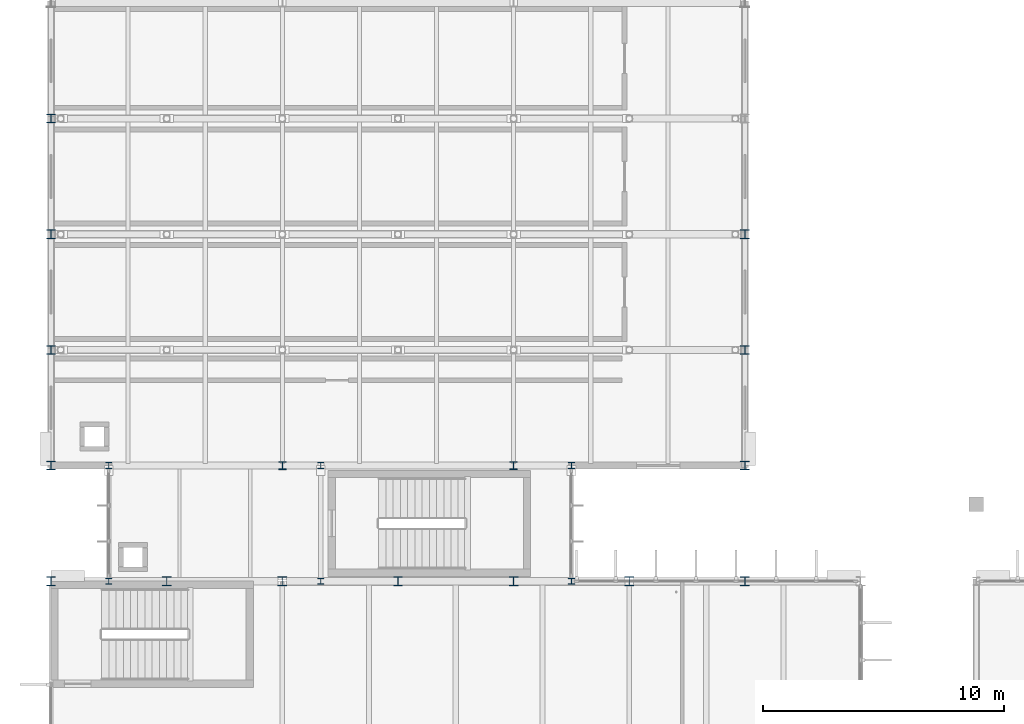
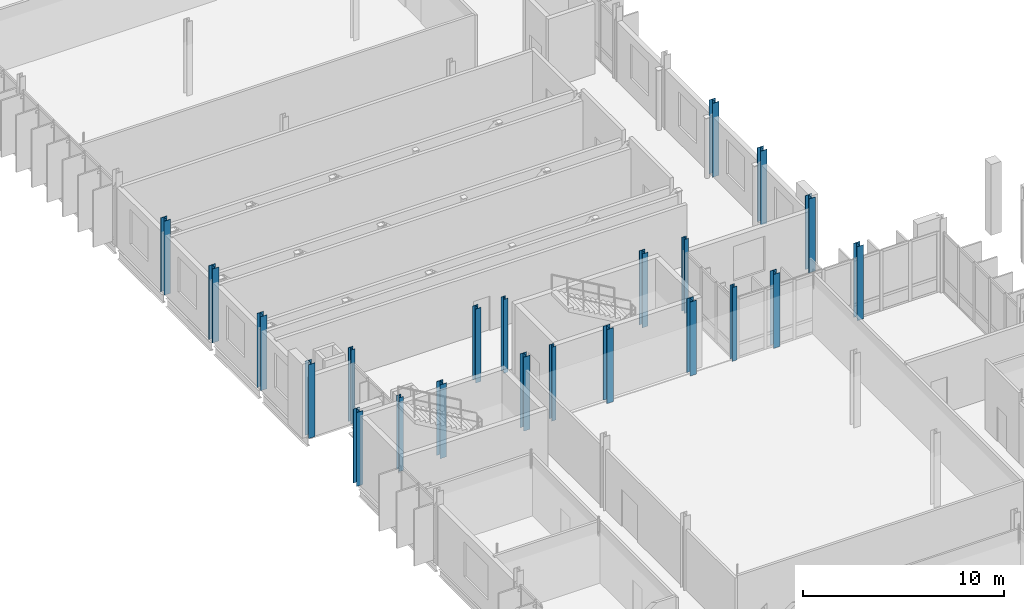
# One storey, part 3 of 110: 22 columns.
"""IFC4 building model written with IfcOpenShell, lengths in metres."""

from ifc_helpers import new_model, si_unit, direction, frame, origin, origin_2d, place, context, subcontext, project, spatial, i_section, extrude, material, material_profile, profile_set, type_object, element, save


model = new_model("IFC4")

# Units and contexts
model_context = context("Model", 3, precision=1e-05, world=origin(), true_north=direction((0.0, 1.0)))
body_context = subcontext(model_context, "Body", "Model", "MODEL_VIEW")
ifc_project = project(units=[si_unit("LENGTHUNIT", "METRE"), si_unit("AREAUNIT", "SQUARE_METRE"), si_unit("VOLUMEUNIT", "CUBIC_METRE"), si_unit("PLANEANGLEUNIT", "RADIAN"), si_unit("MASSUNIT", "GRAM", prefix="KILO")], contexts=[model_context])

# Site, building, storey
site_placement = place(None, origin())
site = spatial("IfcSite", under=ifc_project, at=site_placement, CompositionType="ELEMENT")
building_placement = place(site_placement, origin())
building = spatial("IfcBuilding", under=site, at=building_placement, Name="Dunescarp Central Library", CompositionType="ELEMENT")
storey_placement = place(building_placement, frame((0.0, 0.0, 9.60009765625)))
storey = spatial("IfcBuildingStorey", under=building, at=storey_placement, Name="L02", CompositionType="ELEMENT", Elevation=9.60009765625)

# Columns
ifc_material = material(Name="Steel S355JR", Category="steel")
ifc_material_profile_1 = material_profile(ifc_material, i_section(OverallWidth=0.25634765625, OverallDepth=0.26025390625, WebThickness=0.01025390625, FlangeThickness=0.017333984375, at=origin_2d()), Name="UC 254x254x89")
ifc_profile_set_1 = profile_set([ifc_material_profile_1], Name="Steel S355JR")
column_type_1 = type_object("IfcColumnType", Name="STR-COL-UC254X89", PredefinedType="COLUMN", material=ifc_profile_set_1)
for number, where, z_axis, x_axis, name in (
    (1, (2.39990234375, 36.800048828125, 0.0), (0.0, 0.0, 1.0), (1.0, 0.0, 0.0), "L02 column GL4-24-368"),
    (2, (2.39990234375, 41.60009765625, 0.0), (0.0, 0.0, 1.0), (1.0, 0.0, 0.0), "L02 column GL4-24-416"),
    (3, (11.199951171875, 36.800048828125, 0.0), (0.0, 0.0, 1.0), (1.0, 0.0, 0.0), "L02 column GL4-112-368"),
    (4, (11.199951171875, 41.60009765625, 0.0), (0.0, 0.0, 1.0), (1.0, 0.0, 0.0), "L02 column GL4-112-416"),
    (5, (21.60009765625, 36.800048828125, 0.0), (0.0, 0.0, 1.0), (1.0, 0.0, 0.0), "L02 column GL4-216-368"),
    (6, (21.60009765625, 41.60009765625, 0.0), (0.0, 0.0, 1.0), (1.0, 0.0, 0.0), "L02 column GL4-216-416"),
):
    element("IfcColumn", number, at=place(storey_placement, frame(where, z_axis=z_axis, x_axis=x_axis)), inside=storey, type_object=column_type_1, Name=name, PredefinedType="COLUMN", context=body_context, shape_type="SweptSolid", body=[
        extrude(i_section(OverallWidth=0.25634765625, OverallDepth=0.26025390625, WebThickness=0.01025390625, FlangeThickness=0.017333984375, at=origin_2d()), origin(), (0.0, 0.0, 1.0), 4.5),
    ])
ifc_material_profile_2 = material_profile(ifc_material, i_section(OverallWidth=0.311279296875, OverallDepth=0.3271484375, WebThickness=0.015869140625, FlangeThickness=0.02490234375, at=origin_2d()), Name="UC 305x305x158")
ifc_profile_set_2 = profile_set([ifc_material_profile_2], Name="Steel S355JR")
column_type_2 = type_object("IfcColumnType", Name="STR-COL-UC305X158", PredefinedType="COLUMN", material=ifc_profile_set_2)
for number, where, z_axis, x_axis, name in (
    (7, (9.60009765625, 41.60009765625, 0.0), (0.0, 0.0, 1.0), (1.0, 0.0, 0.0), "L02 column V4B-96-416"),
    (8, (19.199951171875, 41.60009765625, 0.0), (0.0, 0.0, 1.0), (1.0, 0.0, 0.0), "L02 column V4B-192-416"),
):
    element("IfcColumn", number, at=place(storey_placement, frame(where, z_axis=z_axis, x_axis=x_axis)), inside=storey, type_object=column_type_2, Name=name, PredefinedType="COLUMN", context=body_context, shape_type="SweptSolid", body=[
        extrude(i_section(OverallWidth=0.311279296875, OverallDepth=0.3271484375, WebThickness=0.015869140625, FlangeThickness=0.02490234375, at=origin_2d()), origin(), (0.0, 0.0, 1.0), 4.5),
    ])
ifc_material_profile_3 = material_profile(ifc_material, i_section(OverallWidth=0.37060546875, OverallDepth=0.362060546875, WebThickness=0.01220703125, FlangeThickness=0.020751953125, at=origin_2d()), Name="UC 356x368x153")
ifc_profile_set_3 = profile_set([ifc_material_profile_3], Name="Steel S355JR")
column_type_3 = type_object("IfcColumnType", Name="STR-COL-UC356X153", PredefinedType="COLUMN", material=ifc_profile_set_3)
for number, where, z_axis, x_axis, name in (
    (9, (0.0, 36.800048828125, 0.0), (0.0, 0.0, 1.0), (1.0, 0.0, 0.0), "L02 column V1P-0-368"),
    (10, (4.800048828125, 36.800048828125, 0.0), (0.0, 0.0, 1.0), (1.0, 0.0, 0.0), "L02 column V1P-48-368"),
    (11, (9.60009765625, 36.800048828125, 0.0), (0.0, 0.0, 1.0), (1.0, 0.0, 0.0), "L02 column V1P-96-368"),
    (12, (14.39990234375, 36.800048828125, 0.0), (0.0, 0.0, 1.0), (1.0, 0.0, 0.0), "L02 column V1P-144-368"),
    (13, (19.199951171875, 36.800048828125, 0.0), (0.0, 0.0, 1.0), (1.0, 0.0, 0.0), "L02 column V1P-192-368"),
    (14, (24.0, 36.800048828125, 0.0), (0.0, 0.0, 1.0), (1.0, 0.0, 0.0), "L02 column V1P-240-368"),
    (15, (28.800048828125, 36.800048828125, 0.0), (0.0, 0.0, 1.0), (1.0, 0.0, 0.0), "L02 column V1P-288-368"),
    (16, (0.0, 41.60009765625, 0.0), (0.0, 0.0, 1.0), (1.0, 0.0, 0.0), "L02 column V4A-0-416"),
    (17, (0.0, 46.39990234375, 0.0), (0.0, 0.0, 1.0), (1.0, 0.0, 0.0), "L02 column V4A-0-464"),
    (18, (0.0, 51.199951171875, 0.0), (0.0, 0.0, 1.0), (1.0, 0.0, 0.0), "L02 column V4A-0-512"),
    (19, (0.0, 56.0, 0.0), (0.0, 0.0, 1.0), (1.0, 0.0, 0.0), "L02 column V4A-0-560"),
    (20, (28.800048828125, 41.60009765625, 0.0), (0.0, 0.0, 1.0), (1.0, 0.0, 0.0), "L02 column V4A-288-416"),
    (21, (28.800048828125, 46.39990234375, 0.0), (0.0, 0.0, 1.0), (1.0, 0.0, 0.0), "L02 column V4A-288-464"),
    (22, (28.800048828125, 51.199951171875, 0.0), (0.0, 0.0, 1.0), (1.0, 0.0, 0.0), "L02 column V4A-288-512"),
):
    element("IfcColumn", number, at=place(storey_placement, frame(where, z_axis=z_axis, x_axis=x_axis)), inside=storey, type_object=column_type_3, Name=name, PredefinedType="COLUMN", context=body_context, shape_type="SweptSolid", body=[
        extrude(i_section(OverallWidth=0.37060546875, OverallDepth=0.362060546875, WebThickness=0.01220703125, FlangeThickness=0.020751953125, at=origin_2d()), origin(), (0.0, 0.0, 1.0), 4.5),
    ])

save(model, "model.ifc")
